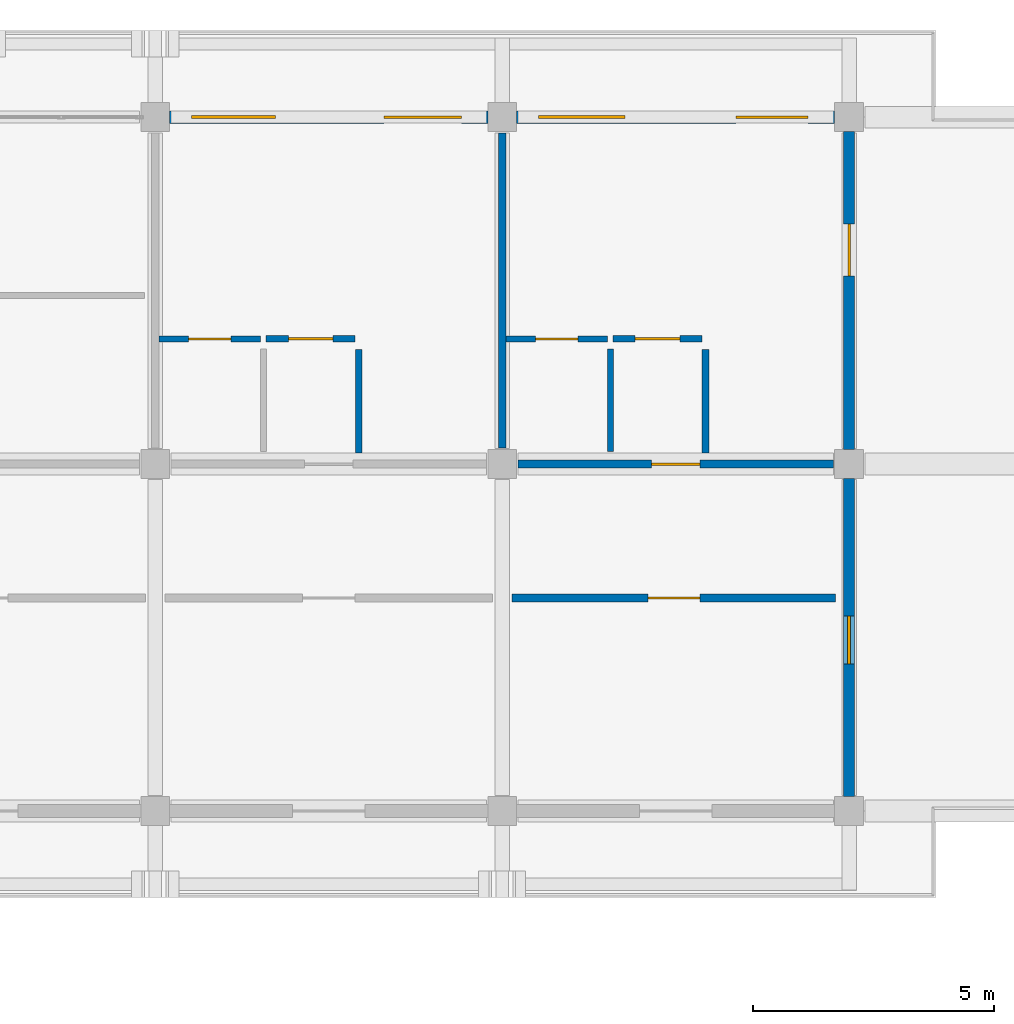
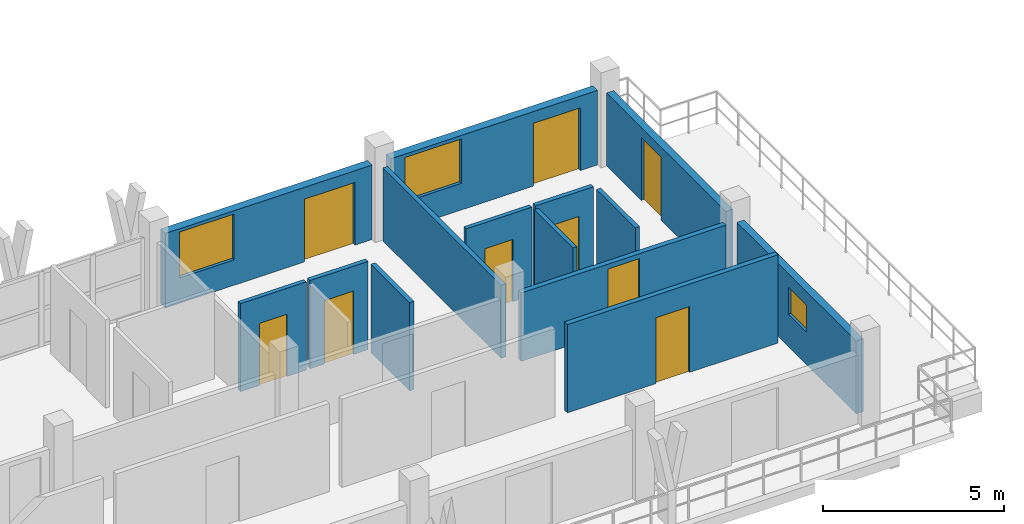
# One storey, part 43 of 73: 14 walls, 9 doors, 3 windows, 12 openings.
"""IFC4 building model written with IfcOpenShell, lengths in metres."""

import ifcopenshell
import ifcopenshell.guid

model = None  # the IFC model being written
_history = None  # IfcOwnerHistory: only IFC2X3 demands one
_inside = {}  # id of a spatial element -> (the spatial element, [elements in it])
_under = {}  # id of a project, library or spatial element -> (it, [spatial elements below it])
_declared = {}  # id of a project -> (the project, [libraries it declares])
_typed = {}  # id of a type object -> (the type object, [elements of that type])
_made_of = {}  # id of a material, layer set ... -> (it, [elements and type objects made of it])


def new_model(schema):
    """Start an empty IFC model of exactly this schema.

    Asked for "IFC4X3", IfcOpenShell would pick the latest addendum, in which some entities
    have other attributes; the version numbers below select the first issue.
    IFC2X3 requires an IfcOwnerHistory on every rooted entity: one is made here for all.
    """
    global model, _history
    if schema == "IFC4X3":
        model = ifcopenshell.file(schema_version=(4, 3, 0, 0))
    else:
        model = ifcopenshell.file(schema=schema)
    _inside.clear()
    _under.clear()
    _declared.clear()
    _typed.clear()
    _made_of.clear()
    _history = None
    if model.schema == "IFC2X3":
        org = make("IfcOrganization", Name="unknown")
        user = make(
            "IfcPersonAndOrganization",
            ThePerson=make("IfcPerson", FamilyName="unknown"),
            TheOrganization=org,
        )
        app = make(
            "IfcApplication",
            ApplicationDeveloper=org,
            Version="unknown",
            ApplicationFullName="unknown",
            ApplicationIdentifier="unknown",
        )
        _history = make(
            "IfcOwnerHistory",
            OwningUser=user,
            OwningApplication=app,
            ChangeAction="ADDED",
            CreationDate=0,
        )
    return model


def make(cls, **values):
    """One entity of the class cls with the attributes given. An attribute that is None is left unset."""
    return model.create_entity(
        cls, **{name: value for name, value in values.items() if value is not None}
    )


def rooted(cls, **values):
    """An entity with a GlobalId (a new one), such as an element, a storey or a relation."""
    return make(cls, GlobalId=ifcopenshell.guid.new(), OwnerHistory=_history, **values)


def si_unit(unit_type, name, prefix=None):
    """IfcSIUnit, for example si_unit("LENGTHUNIT", "METRE", prefix="MILLI")."""
    return make("IfcSIUnit", UnitType=unit_type, Prefix=prefix, Name=name)


def assignment(units):
    """IfcUnitAssignment: the units of a project."""
    return None if units is None else make("IfcUnitAssignment", Units=units)


def point(xyz):
    """IfcCartesianPoint."""
    return None if xyz is None else make("IfcCartesianPoint", Coordinates=xyz)


def direction(xyz):
    """IfcDirection."""
    return None if xyz is None else make("IfcDirection", DirectionRatios=xyz)


def frame(location, z_axis=None, x_axis=None):
    """IfcAxis2Placement3D, a coordinate frame: its origin and axes. An axis left out is left unset."""
    return make(
        "IfcAxis2Placement3D",
        Location=point(location),
        Axis=direction(z_axis),
        RefDirection=direction(x_axis),
    )


def frame_2d(location, x_axis=None):
    """IfcAxis2Placement2D, a coordinate frame in the plane: its origin and x axis."""
    return make(
        "IfcAxis2Placement2D", Location=point(location), RefDirection=direction(x_axis)
    )


def origin():
    """The frame at (0, 0, 0) with its axes left unset."""
    return frame((0.0, 0.0, 0.0))


def place(relative_to, where):
    """IfcLocalPlacement: puts the frame where relative to a parent placement (None: the world)."""
    return make(
        "IfcLocalPlacement", PlacementRelTo=relative_to, RelativePlacement=where
    )


def context(
    kind, dimensions, precision=None, world=None, true_north=None, identifier=None
):
    """IfcGeometricRepresentationContext, for example the 3D "Model" context."""
    return make(
        "IfcGeometricRepresentationContext",
        ContextIdentifier=identifier,
        ContextType=kind,
        CoordinateSpaceDimension=dimensions,
        Precision=precision,
        WorldCoordinateSystem=world,
        TrueNorth=true_north,
    )


def subcontext(parent, identifier, kind, view, scale=None):
    """IfcGeometricRepresentationSubContext, for example "Body" below "Model"."""
    return make(
        "IfcGeometricRepresentationSubContext",
        ContextIdentifier=identifier,
        ContextType=kind,
        ParentContext=parent,
        TargetScale=scale,
        TargetView=view,
    )


def project(units=None, contexts=None):
    """IfcProject with its units and contexts."""
    return rooted(
        "IfcProject",
        Name="project",
        RepresentationContexts=contexts,
        UnitsInContext=assignment(units),
    )


def spatial(cls, under=None, at=None, **own):
    """A site, building, storey or space (cls), placed at a placement, below another one or the project."""
    s = rooted(cls, ObjectPlacement=at, **own)
    if under is not None:
        _under.setdefault(under.id(), (under, []))[1].append(s)
    return s


def profile(cls, at=None, kind="AREA", **sizes):
    """A parametric profile (cls). Its sizes go by their IFC names, for example OverallWidth=200.0."""
    return make(cls, ProfileType=kind, Position=at, **sizes)


def rectangle(**sizes):
    """IfcRectangleProfileDef."""
    return profile("IfcRectangleProfileDef", **sizes)


def extrude(swept, where, along, depth):
    """IfcExtrudedAreaSolid: the profile swept, set in the frame where, extruded along a direction by depth."""
    return make(
        "IfcExtrudedAreaSolid",
        SweptArea=swept,
        Position=where,
        ExtrudedDirection=direction(along),
        Depth=depth,
    )


def shape(context_of_items, identifier, shape_type, items):
    """IfcShapeRepresentation: the items that make up one representation, for example the "Body"."""
    return make(
        "IfcShapeRepresentation",
        ContextOfItems=context_of_items,
        RepresentationIdentifier=identifier,
        RepresentationType=shape_type,
        Items=items,
    )


def material(Name=None, Category=None):
    """IfcMaterial."""
    return make("IfcMaterial", Name=Name, Category=Category)


def layer(
    of_material, thickness, ventilated=None, Name=None, Category=None, Priority=None
):
    """IfcMaterialLayer: one layer of a wall or slab, of a material (None: an air gap)."""
    return make(
        "IfcMaterialLayer",
        Material=of_material,
        LayerThickness=thickness,
        IsVentilated=ventilated,
        Name=Name,
        Category=Category,
        Priority=Priority,
    )


def layer_set(layers, Name=None):
    """IfcMaterialLayerSet."""
    return make("IfcMaterialLayerSet", MaterialLayers=layers, LayerSetName=Name)


def made_of(thing, what):
    """Note that an element or type object is made of a material, layer set ...; save() writes the relation."""
    if what is not None:
        _made_of.setdefault(what.id(), (what, []))[1].append(thing)
    return thing


def type_object(cls, material=None, **own):
    """A type object (cls), such as IfcWallType, which elements share."""
    return made_of(rooted(cls, **own), material)


def element(
    cls,
    number,
    at=None,
    inside=None,
    cuts=None,
    type_object=None,
    material=None,
    context=None,
    identifier="Body",
    shape_type=None,
    held_by="IfcProductDefinitionShape",
    body=None,
    shapes=None,
    **own,
):
    """One element of the class cls, such as IfcWall. Its Tag is "e" and its number.

    at: its placement. inside: the storey or other place that contains it. cuts: it is an
    opening in that element (IfcRelVoidsElement). A single representation is given by context,
    identifier, shape_type and body (its items); several are given by shapes. held_by: the class
    of the entity that holds the representations. save() writes the other relations.
    """
    e = rooted(cls, Tag="e%d" % number, ObjectPlacement=at, **own)
    if body is not None:
        shapes = [shape(context, identifier, shape_type, body)]
    if shapes is not None:
        e.Representation = make(held_by, Representations=shapes)
    if inside is not None:
        _inside.setdefault(inside.id(), (inside, []))[1].append(e)
    if cuts is not None:
        rooted(
            "IfcRelVoidsElement", RelatingBuildingElement=cuts, RelatedOpeningElement=e
        )
    if type_object is not None:
        _typed.setdefault(type_object.id(), (type_object, []))[1].append(e)
    return made_of(e, material)


def fill(opening, filler):
    """IfcRelFillsElement: the door or window that sits in an opening."""
    return rooted(
        "IfcRelFillsElement",
        RelatingOpeningElement=opening,
        RelatedBuildingElement=filler,
    )


def aggregate(whole, parts):
    """IfcRelAggregates: a whole, such as a stair, and the parts it consists of."""
    return rooted("IfcRelAggregates", RelatingObject=whole, RelatedObjects=parts)


def save(model, path):
    """Write the relations noted so far, then the file.

    IfcRelAggregates (storeys below a building ...), IfcRelContainedInSpatialStructure (elements
    in a storey), IfcRelDefinesByType, IfcRelAssociatesMaterial and IfcRelDeclares: one each for
    every whole, place, type object, material and project.
    """
    for whole, parts in _under.values():
        aggregate(whole, parts)
    for where, things in _inside.values():
        rooted(
            "IfcRelContainedInSpatialStructure",
            RelatedElements=things,
            RelatingStructure=where,
        )
    for kind, things in _typed.values():
        rooted("IfcRelDefinesByType", RelatedObjects=things, RelatingType=kind)
    for what, things in _made_of.values():
        rooted("IfcRelAssociatesMaterial", RelatedObjects=things, RelatingMaterial=what)
    for by, libraries in _declared.values():
        rooted("IfcRelDeclares", RelatingContext=by, RelatedDefinitions=libraries)
    model.write(path)


model = new_model("IFC4")

# Units and contexts
model_context = context("Model", 3, precision=1e-05, world=origin(), true_north=direction((0.0, 1.0)))
body_context = subcontext(model_context, "Body", "Model", "MODEL_VIEW")
ifc_project = project(units=[si_unit("LENGTHUNIT", "METRE"), si_unit("AREAUNIT", "SQUARE_METRE"), si_unit("VOLUMEUNIT", "CUBIC_METRE"), si_unit("PLANEANGLEUNIT", "RADIAN"), si_unit("MASSUNIT", "GRAM", prefix="KILO")], contexts=[model_context])

# Site, building, storey
site_placement = place(None, origin())
site = spatial("IfcSite", under=ifc_project, at=site_placement, CompositionType="ELEMENT")
building_placement = place(site_placement, origin())
building = spatial("IfcBuilding", under=site, at=building_placement, Name="Suanplinth Sawtooth Commons", CompositionType="ELEMENT")
storey_placement = place(building_placement, frame((0.0, 0.0, 21.89990234375)))
storey = spatial("IfcBuildingStorey", under=building, at=storey_placement, Name="L06", CompositionType="ELEMENT", Elevation=21.89990234375)

# Wall, openings, door, window
ifc_material_1 = material(Name="Precast concrete C40/50", Category="concrete")
ifc_layer_1 = layer(ifc_material_1, 0.260009765625, Name="Insulated precast courtyard facade wall 260mm")
ifc_layer_set_1 = layer_set([ifc_layer_1], Name="Precast concrete C40/50")
wall_type_1 = type_object("IfcWallType", Name="W-EX02", PredefinedType="ELEMENTEDWALL", material=ifc_layer_set_1)
wall_1_placement = place(storey_placement, frame((93.89990234375, 122.39990234375, 0.0), z_axis=(0.0, 0.0, 1.0), x_axis=(1.0, 0.0, 0.0)))
wall_1 = element("IfcWall", 1, at=wall_1_placement, inside=storey, type_object=wall_type_1, Name="Facade Wall W-L06-A-N-12", PredefinedType="ELEMENTEDWALL", context=body_context, shape_type="SweptSolid", body=[
    extrude(rectangle(XDim=6.60009765625, YDim=0.260009765625, at=frame_2d((3.300048828125, 0.0))), origin(), (0.0, 0.0, 1.0), 2.51513671875),
])
opening_1_placement = place(wall_1_placement, frame((4.449951171875, 0.0, 0.0)))
opening_1 = element("IfcOpeningElement", 2, at=opening_1_placement, cuts=wall_1, Name="Opening ED0493", PredefinedType="OPENING", context=body_context, shape_type="SweptSolid", body=[
    extrude(rectangle(XDim=1.60009765625, YDim=2.1201171875, at=frame_2d((0.800048828125, 1.06005859375))), frame((0.0, 0.14501953125, 0.0), z_axis=(0.0, -1.0, 0.0), x_axis=(1.0, 0.0, 0.0)), (0.0, 0.0, 1.0), 0.289794921875),
])
opening_2_placement = place(wall_1_placement, frame((0.449951171875, 0.0, 0.85498046875)))
opening_2 = element("IfcOpeningElement", 3, at=opening_2_placement, cuts=wall_1, Name="Opening W0579", PredefinedType="OPENING", context=body_context, shape_type="SweptSolid", body=[
    extrude(rectangle(XDim=1.75, YDim=1.550048828125, at=frame_2d((0.875, 0.77490234375))), frame((0.0, 0.14501953125, 0.0), z_axis=(0.0, -1.0, 0.0), x_axis=(1.0, 0.0, 0.0)), (0.0, 0.0, 1.0), 0.289794921875),
])
ifc_material_2 = material(Name="Anodized aluminium and low-E glass", Category="aluminium")
door_type_1 = type_object("IfcDoorType", Name="SD-02", OperationType="SLIDING_TO_RIGHT", PredefinedType="DOOR", material=ifc_material_2)
door_1_placement = place(opening_1_placement, frame((1.60009765625, 0.0, 0.0), z_axis=(0.0, 0.0, 1.0), x_axis=(-1.0, 0.0, 0.0)))
door_1 = element("IfcDoor", 4, at=door_1_placement, inside=storey, type_object=door_type_1, Name="Balcony Sliding Door L06-A-N-12", OperationType="SLIDING_TO_RIGHT", OverallHeight=2.1201171875, OverallWidth=1.60009765625, PredefinedType="DOOR", context=body_context, shape_type="SweptSolid", body=[
    extrude(rectangle(XDim=1.60009765625, YDim=2.1201171875, at=frame_2d((0.800048828125, 1.06005859375))), frame((0.0, 0.02490234375, 0.0), z_axis=(0.0, -1.0, 0.0), x_axis=(1.0, 0.0, 0.0)), (0.0, 0.0, 1.0), 0.050048828125),
])
fill(opening_1, door_1)
ifc_material_3 = material(Name="Thermally broken aluminium and low-E double glazing", Category="aluminium")
window_type_1 = type_object("IfcWindowType", Name="WN-26", PartitioningType="DOUBLE_PANEL_VERTICAL", PredefinedType="WINDOW", material=ifc_material_3)
window_1_placement = place(opening_2_placement, origin())
window_1 = element("IfcWindow", 5, at=window_1_placement, inside=storey, type_object=window_type_1, Name="Window L06-A-N-12", OverallHeight=1.550048828125, OverallWidth=1.75, PartitioningType="DOUBLE_PANEL_VERTICAL", PredefinedType="WINDOW", context=body_context, shape_type="SweptSolid", body=[
    extrude(rectangle(XDim=1.75, YDim=1.550048828125, at=frame_2d((0.875, 0.77490234375))), frame((0.0, 0.030029296875, 0.0), z_axis=(0.0, -1.0, 0.0), x_axis=(1.0, 0.0, 0.0)), (0.0, 0.0, 1.0), 0.06005859375),
])
fill(opening_2, window_1)

wall_2_placement = place(storey_placement, frame((101.10009765625, 122.39990234375, 0.0), z_axis=(0.0, 0.0, 1.0), x_axis=(1.0, 0.0, 0.0)))
wall_2 = element("IfcWall", 6, at=wall_2_placement, inside=storey, type_object=wall_type_1, Name="Facade Wall W-L06-A-N-13", PredefinedType="ELEMENTEDWALL", context=body_context, shape_type="SweptSolid", body=[
    extrude(rectangle(XDim=6.599853515625, YDim=0.260009765625, at=frame_2d((3.2998046875, 0.0))), origin(), (0.0, 0.0, 1.0), 2.51513671875),
])
opening_3_placement = place(wall_2_placement, frame((4.550048828125, 0.0, 0.0)))
opening_3 = element("IfcOpeningElement", 7, at=opening_3_placement, cuts=wall_2, Name="Opening ED0495", PredefinedType="OPENING", context=body_context, shape_type="SweptSolid", body=[
    extrude(rectangle(XDim=1.5, YDim=2.1201171875, at=frame_2d((0.75, 1.06005859375))), frame((0.0, 0.14501953125, 0.0), z_axis=(0.0, -1.0, 0.0), x_axis=(1.0, 0.0, 0.0)), (0.0, 0.0, 1.0), 0.289794921875),
])
opening_4_placement = place(wall_2_placement, frame((0.449951171875, 0.0, 0.89990234375)))
opening_4 = element("IfcOpeningElement", 8, at=opening_4_placement, cuts=wall_2, Name="Opening W0580", PredefinedType="OPENING", context=body_context, shape_type="SweptSolid", body=[
    extrude(rectangle(XDim=1.800048828125, YDim=1.5, at=frame_2d((0.89990234375, 0.75))), frame((0.0, 0.14501953125, 0.0), z_axis=(0.0, -1.0, 0.0), x_axis=(1.0, 0.0, 0.0)), (0.0, 0.0, 1.0), 0.289794921875),
])
door_type_2 = type_object("IfcDoorType", Name="SD-03", OperationType="SLIDING_TO_LEFT", PredefinedType="DOOR", material=ifc_material_2)
door_2_placement = place(opening_3_placement, frame((1.5, 0.0, 0.0), z_axis=(0.0, 0.0, 1.0), x_axis=(-1.0, 0.0, 0.0)))
door_2 = element("IfcDoor", 9, at=door_2_placement, inside=storey, type_object=door_type_2, Name="Balcony Sliding Door L06-A-N-13", OperationType="SLIDING_TO_LEFT", OverallHeight=2.1201171875, OverallWidth=1.5, PredefinedType="DOOR", context=body_context, shape_type="SweptSolid", body=[
    extrude(rectangle(XDim=1.5, YDim=2.1201171875, at=frame_2d((0.75, 1.06005859375))), frame((0.0, 0.02490234375, 0.0), z_axis=(0.0, -1.0, 0.0), x_axis=(1.0, 0.0, 0.0)), (0.0, 0.0, 1.0), 0.050048828125),
])
fill(opening_3, door_2)
window_type_2 = type_object("IfcWindowType", Name="WN-01", PartitioningType="DOUBLE_PANEL_VERTICAL", PredefinedType="WINDOW", material=ifc_material_3)
window_2_placement = place(opening_4_placement, origin())
window_2 = element("IfcWindow", 10, at=window_2_placement, inside=storey, type_object=window_type_2, Name="Window L06-A-N-13", OverallHeight=1.5, OverallWidth=1.800048828125, PartitioningType="DOUBLE_PANEL_VERTICAL", PredefinedType="WINDOW", context=body_context, shape_type="SweptSolid", body=[
    extrude(rectangle(XDim=1.800048828125, YDim=1.5, at=frame_2d((0.89990234375, 0.75))), frame((0.0, 0.030029296875, 0.0), z_axis=(0.0, -1.0, 0.0), x_axis=(1.0, 0.0, 0.0)), (0.0, 0.0, 1.0), 0.06005859375),
])
fill(opening_4, window_2)

# Wall, opening, window
ifc_layer_2 = layer(ifc_material_1, 0.22998046875, Name="Stepped terrace insulated precast wall 230mm")
ifc_layer_set_2 = layer_set([ifc_layer_2], Name="Precast concrete C40/50")
wall_type_2 = type_object("IfcWallType", Name="W-EX06", PredefinedType="ELEMENTEDWALL", material=ifc_layer_set_2)
wall_3_placement = place(storey_placement, frame((108.0, 108.300048828125, 0.0), z_axis=(0.0, 0.0, 1.0), x_axis=(0.0, 1.0, 0.0)))
wall_3 = element("IfcWall", 11, at=wall_3_placement, inside=storey, type_object=wall_type_2, Name="End Wall W-L06-A-E-15", PredefinedType="ELEMENTEDWALL", context=body_context, shape_type="SweptSolid", body=[
    extrude(rectangle(XDim=6.599853515625, YDim=0.22998046875, at=frame_2d((3.2998046875, 0.0))), origin(), (0.0, 0.0, 1.0), 2.465087890625),
])
opening_5_placement = place(wall_3_placement, frame((2.75, 0.0, 1.10009765625)))
opening_5 = element("IfcOpeningElement", 12, at=opening_5_placement, cuts=wall_3, Name="Opening W0582", PredefinedType="OPENING", context=body_context, shape_type="SweptSolid", body=[
    extrude(rectangle(XDim=1.0, YDim=0.89990234375, at=frame_2d((0.5, 0.449951171875))), frame((0.0, 0.1298828125, 0.0), z_axis=(0.0, -1.0, 0.0), x_axis=(1.0, 0.0, 0.0)), (0.0, 0.0, 1.0), 0.259765625),
])
window_type_3 = type_object("IfcWindowType", Name="WN-12", PartitioningType="SINGLE_PANEL", PredefinedType="WINDOW", material=ifc_material_3)
window_3_placement = place(opening_5_placement, origin())
window_3 = element("IfcWindow", 13, at=window_3_placement, inside=storey, type_object=window_type_3, Name="End Window L06-A-E-15", OverallHeight=0.89990234375, OverallWidth=1.0, PartitioningType="SINGLE_PANEL", PredefinedType="WINDOW", context=body_context, shape_type="SweptSolid", body=[
    extrude(rectangle(XDim=1.0, YDim=0.89990234375, at=frame_2d((0.5, 0.449951171875))), frame((0.0, 0.030029296875, 0.0), z_axis=(0.0, -1.0, 0.0), x_axis=(1.0, 0.0, 0.0)), (0.0, 0.0, 1.0), 0.06005859375),
])
fill(opening_5, window_3)

# Wall, opening, door
wall_4_placement = place(storey_placement, frame((108.0, 115.5, 0.0), z_axis=(0.0, 0.0, 1.0), x_axis=(0.0, 1.0, 0.0)))
wall_4 = element("IfcWall", 14, at=wall_4_placement, inside=storey, type_object=wall_type_2, Name="End Wall W-L06-A-E-16", PredefinedType="ELEMENTEDWALL", context=body_context, shape_type="SweptSolid", body=[
    extrude(rectangle(XDim=6.60009765625, YDim=0.22998046875, at=frame_2d((3.300048828125, 0.0))), origin(), (0.0, 0.0, 1.0), 2.465087890625),
])
opening_6_placement = place(wall_4_placement, frame((3.60009765625, 0.0, 0.0)))
opening_6 = element("IfcOpeningElement", 15, at=opening_6_placement, cuts=wall_4, Name="Opening ED0498", PredefinedType="OPENING", context=body_context, shape_type="SweptSolid", body=[
    extrude(rectangle(XDim=1.080078125, YDim=2.1201171875, at=frame_2d((0.5400390625, 1.06005859375))), frame((0.0, 0.1298828125, 0.0), z_axis=(0.0, -1.0, 0.0), x_axis=(1.0, 0.0, 0.0)), (0.0, 0.0, 1.0), 0.259765625),
])
door_type_3 = type_object("IfcDoorType", Name="ED-10", OperationType="NOTDEFINED", PredefinedType="DOOR", material=ifc_material_2)
door_3_placement = place(opening_6_placement, frame((1.080078125, 0.0, 0.0), z_axis=(0.0, 0.0, 1.0), x_axis=(-1.0, 0.0, 0.0)))
door_3 = element("IfcDoor", 16, at=door_3_placement, inside=storey, type_object=door_type_3, Name="L06 Block A E Stepped Terrace Door", OperationType="SINGLE_SWING_LEFT", OverallHeight=2.1201171875, OverallWidth=1.080078125, PredefinedType="DOOR", context=body_context, shape_type="SweptSolid", body=[
    extrude(rectangle(XDim=1.080078125, YDim=2.1201171875, at=frame_2d((0.5400390625, 1.06005859375))), frame((0.0, 0.02490234375, 0.0), z_axis=(0.0, -1.0, 0.0), x_axis=(1.0, 0.0, 0.0)), (0.0, 0.0, 1.0), 0.050048828125),
])
fill(opening_6, door_3)

ifc_layer_3 = layer(ifc_material_1, 0.159912109375, Name="Fire-rated corridor and lobby wall 160mm")
ifc_layer_set_3 = layer_set([ifc_layer_3], Name="Precast concrete C40/50")
wall_type_3 = type_object("IfcWallType", Name="W-FW01", PredefinedType="PARTITIONING", material=ifc_layer_set_3)
wall_5_placement = place(storey_placement, frame((101.1298828125, 115.199951171875, 0.0), z_axis=(0.0, 0.0, 1.0), x_axis=(1.0, 0.0, 0.0)))
wall_5 = element("IfcWall", 17, at=wall_5_placement, inside=storey, type_object=wall_type_3, Name="W-A-L06-U11-COR", PredefinedType="PARTITIONING", context=body_context, shape_type="SweptSolid", body=[
    extrude(rectangle(XDim=6.5400390625, YDim=0.159912109375, at=frame_2d((3.27001953125, 0.0))), origin(), (0.0, 0.0, 1.0), 2.315185546875),
])
opening_7_placement = place(wall_5_placement, frame((2.77001953125, 0.0, 0.0)))
opening_7 = element("IfcOpeningElement", 18, at=opening_7_placement, cuts=wall_5, Name="Opening FD1391", PredefinedType="OPENING", context=body_context, shape_type="SweptSolid", body=[
    extrude(rectangle(XDim=1.0, YDim=2.14990234375, at=frame_2d((0.5, 1.074951171875))), frame((0.0, 0.0947265625, 0.0), z_axis=(0.0, -1.0, 0.0), x_axis=(1.0, 0.0, 0.0)), (0.0, 0.0, 1.0), 0.189697265625),
])
ifc_material_4 = material(Name="Teak hardwood fire-rated door assembly", Category="wood")
door_type_4 = type_object("IfcDoorType", Name="FD-03", OperationType="NOTDEFINED", PredefinedType="DOOR", material=ifc_material_4)
door_4_placement = place(opening_7_placement, origin())
door_4 = element("IfcDoor", 19, at=door_4_placement, inside=storey, type_object=door_type_4, Name="Unit Entrance Door FD1391", OperationType="SINGLE_SWING_LEFT", OverallHeight=2.14990234375, OverallWidth=1.0, PredefinedType="DOOR", context=body_context, shape_type="SweptSolid", body=[
    extrude(rectangle(XDim=1.0, YDim=2.14990234375, at=frame_2d((0.5, 1.074951171875))), frame((0.0, 0.02490234375, 0.0), z_axis=(0.0, -1.0, 0.0), x_axis=(1.0, 0.0, 0.0)), (0.0, 0.0, 1.0), 0.050048828125),
])
fill(opening_7, door_4)

wall_6_placement = place(storey_placement, frame((101.0, 112.419921875, 0.0), z_axis=(0.0, 0.0, 1.0), x_axis=(1.0, 0.0, 0.0)))
wall_6 = element("IfcWall", 20, at=wall_6_placement, inside=storey, type_object=wall_type_3, Name="W-A-L06-COURTROOM-20-COR", PredefinedType="PARTITIONING", context=body_context, shape_type="SweptSolid", body=[
    extrude(rectangle(XDim=6.719970703125, YDim=0.159912109375, at=frame_2d((3.35986328125, 0.0))), origin(), (0.0, 0.0, 1.0), 2.97998046875),
])
opening_8_placement = place(wall_6_placement, frame((2.820068359375, 0.0, 0.0)))
opening_8 = element("IfcOpeningElement", 21, at=opening_8_placement, cuts=wall_6, Name="Opening D1403", PredefinedType="OPENING", context=body_context, shape_type="SweptSolid", body=[
    extrude(rectangle(XDim=1.080078125, YDim=2.219970703125, at=frame_2d((0.5400390625, 1.10986328125))), frame((0.0, 0.0947265625, 0.0), z_axis=(0.0, -1.0, 0.0), x_axis=(1.0, 0.0, 0.0)), (0.0, 0.0, 1.0), 0.189697265625),
])
ifc_material_5 = material(Name="Teak hardwood", Category="wood")
door_type_5 = type_object("IfcDoorType", Name="D-17", OperationType="NOTDEFINED", PredefinedType="DOOR", material=ifc_material_5)
door_5_placement = place(opening_8_placement, frame((1.080078125, 0.0, 0.0), z_axis=(0.0, 0.0, 1.0), x_axis=(-1.0, 0.0, 0.0)))
door_5 = element("IfcDoor", 22, at=door_5_placement, inside=storey, type_object=door_type_5, Name="Study Studio Door D1403", OperationType="SINGLE_SWING_LEFT", OverallHeight=2.219970703125, OverallWidth=1.080078125, PredefinedType="DOOR", context=body_context, shape_type="SweptSolid", body=[
    extrude(rectangle(XDim=1.080078125, YDim=2.219970703125, at=frame_2d((0.5400390625, 1.10986328125))), frame((0.0, 0.02490234375, 0.0), z_axis=(0.0, -1.0, 0.0), x_axis=(1.0, 0.0, 0.0)), (0.0, 0.0, 1.0), 0.050048828125),
])
fill(opening_8, door_5)

# Wall
ifc_layer_4 = layer(ifc_material_1, 0.14990234375, Name="Acoustic precast party demising wall 150mm")
ifc_layer_set_4 = layer_set([ifc_layer_4], Name="Precast concrete C40/50")
wall_type_4 = type_object("IfcWallType", Name="W-FW02", PredefinedType="PARTITIONING", material=ifc_layer_set_4)
wall_7_placement = place(storey_placement, frame((100.800048828125, 115.530029296875, 0.0), z_axis=(0.0, 0.0, 1.0), x_axis=(0.0, 1.0, 0.0)))
element("IfcWall", 23, at=wall_7_placement, inside=storey, type_object=wall_type_4, Name="W-A-L06-U10-PTY", PredefinedType="PARTITIONING", context=body_context, shape_type="SweptSolid", body=[
    extrude(rectangle(XDim=6.5400390625, YDim=0.14990234375, at=frame_2d((3.27001953125, 0.0))), origin(), (0.0, 0.0, 1.0), 2.465087890625),
])

# Wall, opening, door
ifc_material_6 = material(Name="Gypsum plasterboard on steel stud", Category="steel")
ifc_layer_5 = layer(ifc_material_6, 0.139892578125, Name="Fire-rated kitchen partition 140mm")
ifc_layer_set_5 = layer_set([ifc_layer_5], Name="Gypsum plasterboard on steel stud")
wall_type_5 = type_object("IfcWallType", Name="W-PT01", PredefinedType="PARTITIONING", material=ifc_layer_set_5)
wall_8_placement = place(storey_placement, frame((95.89990234375, 117.800048828125, 0.0), z_axis=(0.0, 0.0, 1.0), x_axis=(1.0, 0.0, 0.0)))
wall_8 = element("IfcWall", 24, at=wall_8_placement, inside=storey, type_object=wall_type_5, Name="W-A-L06-U10-KIT1", PredefinedType="PARTITIONING", context=body_context, shape_type="SweptSolid", body=[
    extrude(rectangle(XDim=1.85009765625, YDim=0.139892578125, at=frame_2d((0.925048828125, 0.0))), origin(), (0.0, 0.0, 1.0), 2.97998046875),
])
opening_9_placement = place(wall_8_placement, frame((0.4599609375, 0.0, 0.0)))
opening_9 = element("IfcOpeningElement", 25, at=opening_9_placement, cuts=wall_8, Name="Opening D1390", PredefinedType="OPENING", context=body_context, shape_type="SweptSolid", body=[
    extrude(rectangle(XDim=0.929931640625, YDim=2.139892578125, at=frame_2d((0.46484375, 1.06982421875))), frame((0.0, 0.0849609375, 0.0), z_axis=(0.0, -1.0, 0.0), x_axis=(1.0, 0.0, 0.0)), (0.0, 0.0, 1.0), 0.169677734375),
])
door_type_6 = type_object("IfcDoorType", Name="D-19", OperationType="NOTDEFINED", PredefinedType="DOOR", material=ifc_material_5)
door_6_placement = place(opening_9_placement, frame((0.929931640625, 0.0, 0.0), z_axis=(0.0, 0.0, 1.0), x_axis=(-1.0, 0.0, 0.0)))
door_6 = element("IfcDoor", 26, at=door_6_placement, inside=storey, type_object=door_type_6, Name="Kitchen Door D1390", OperationType="SINGLE_SWING_RIGHT", OverallHeight=2.139892578125, OverallWidth=0.929931640625, PredefinedType="DOOR", context=body_context, shape_type="SweptSolid", body=[
    extrude(rectangle(XDim=0.929931640625, YDim=2.139892578125, at=frame_2d((0.46484375, 1.06982421875))), frame((0.0, 0.02490234375, 0.0), z_axis=(0.0, -1.0, 0.0), x_axis=(1.0, 0.0, 0.0)), (0.0, 0.0, 1.0), 0.050048828125),
])
fill(opening_9, door_6)

# Wall
wall_9_placement = place(storey_placement, frame((97.820068359375, 115.429931640625, 0.0), z_axis=(0.0, 0.0, 1.0), x_axis=(0.0, 1.0, 0.0)))
element("IfcWall", 27, at=wall_9_placement, inside=storey, type_object=wall_type_5, Name="W-A-L06-U10-KIT2", PredefinedType="PARTITIONING", context=body_context, shape_type="SweptSolid", body=[
    extrude(rectangle(XDim=2.150146484375, YDim=0.139892578125, at=frame_2d((1.0751953125, 0.0))), origin(), (0.0, 0.0, 1.0), 2.97998046875),
])

# Wall, opening, door
wall_10_placement = place(storey_placement, frame((103.10009765625, 117.800048828125, 0.0), z_axis=(0.0, 0.0, 1.0), x_axis=(1.0, 0.0, 0.0)))
wall_10 = element("IfcWall", 28, at=wall_10_placement, inside=storey, type_object=wall_type_5, Name="W-A-L06-U11-KIT1", PredefinedType="PARTITIONING", context=body_context, shape_type="SweptSolid", body=[
    extrude(rectangle(XDim=1.849853515625, YDim=0.139892578125, at=frame_2d((0.9248046875, 0.0))), origin(), (0.0, 0.0, 1.0), 2.97998046875),
])
opening_10_placement = place(wall_10_placement, frame((0.4599609375, 0.0, 0.0)))
opening_10 = element("IfcOpeningElement", 29, at=opening_10_placement, cuts=wall_10, Name="Opening D1393", PredefinedType="OPENING", context=body_context, shape_type="SweptSolid", body=[
    extrude(rectangle(XDim=0.929931640625, YDim=2.139892578125, at=frame_2d((0.46484375, 1.06982421875))), frame((0.0, 0.0849609375, 0.0), z_axis=(0.0, -1.0, 0.0), x_axis=(1.0, 0.0, 0.0)), (0.0, 0.0, 1.0), 0.169677734375),
])
door_7_placement = place(opening_10_placement, frame((0.929931640625, 0.0, 0.0), z_axis=(0.0, 0.0, 1.0), x_axis=(-1.0, 0.0, 0.0)))
door_7 = element("IfcDoor", 30, at=door_7_placement, inside=storey, type_object=door_type_6, Name="Kitchen Door D1393", OperationType="SINGLE_SWING_LEFT", OverallHeight=2.139892578125, OverallWidth=0.929931640625, PredefinedType="DOOR", context=body_context, shape_type="SweptSolid", body=[
    extrude(rectangle(XDim=0.929931640625, YDim=2.139892578125, at=frame_2d((0.46484375, 1.06982421875))), frame((0.0, 0.02490234375, 0.0), z_axis=(0.0, -1.0, 0.0), x_axis=(1.0, 0.0, 0.0)), (0.0, 0.0, 1.0), 0.050048828125),
])
fill(opening_10, door_7)

# Wall
wall_11_placement = place(storey_placement, frame((105.02001953125, 115.429931640625, 0.0), z_axis=(0.0, 0.0, 1.0), x_axis=(0.0, 1.0, 0.0)))
element("IfcWall", 31, at=wall_11_placement, inside=storey, type_object=wall_type_5, Name="W-A-L06-U11-KIT2", PredefinedType="PARTITIONING", context=body_context, shape_type="SweptSolid", body=[
    extrude(rectangle(XDim=2.150146484375, YDim=0.139892578125, at=frame_2d((1.0751953125, 0.0))), origin(), (0.0, 0.0, 1.0), 2.97998046875),
])

# Wall, opening, door
ifc_layer_6 = layer(ifc_material_6, 0.1298828125, Name="Moisture-resistant bathroom partition 130mm")
ifc_layer_set_6 = layer_set([ifc_layer_6], Name="Gypsum plasterboard on steel stud")
wall_type_6 = type_object("IfcWallType", Name="W-PT02", PredefinedType="PARTITIONING", material=ifc_layer_set_6)
wall_12_placement = place(storey_placement, frame((93.679931640625, 117.794921875, 0.0), z_axis=(0.0, 0.0, 1.0), x_axis=(1.0, 0.0, 0.0)))
wall_12 = element("IfcWall", 32, at=wall_12_placement, inside=storey, type_object=wall_type_6, Name="W-A-L06-U10-BTH1", PredefinedType="PARTITIONING", context=body_context, shape_type="SweptSolid", body=[
    extrude(rectangle(XDim=2.10009765625, YDim=0.1298828125, at=frame_2d((1.050048828125, 0.0))), origin(), (0.0, 0.0, 1.0), 2.97998046875),
])
opening_11_placement = place(wall_12_placement, frame((0.610107421875, 0.0, 0.0)))
opening_11 = element("IfcOpeningElement", 33, at=opening_11_placement, cuts=wall_12, Name="Opening D1389", PredefinedType="OPENING", context=body_context, shape_type="SweptSolid", body=[
    extrude(rectangle(XDim=0.8798828125, YDim=2.10009765625, at=frame_2d((0.43994140625, 1.050048828125))), frame((0.0, 0.079833984375, 0.0), z_axis=(0.0, -1.0, 0.0), x_axis=(1.0, 0.0, 0.0)), (0.0, 0.0, 1.0), 0.15966796875),
])
door_type_7 = type_object("IfcDoorType", Name="D-14", OperationType="NOTDEFINED", PredefinedType="DOOR", material=ifc_material_5)
door_8_placement = place(opening_11_placement, frame((0.8798828125, 0.0, 0.0), z_axis=(0.0, 0.0, 1.0), x_axis=(-1.0, 0.0, 0.0)))
door_8 = element("IfcDoor", 34, at=door_8_placement, inside=storey, type_object=door_type_7, Name="Bathroom Door D1389", OperationType="SINGLE_SWING_LEFT", OverallHeight=2.10009765625, OverallWidth=0.8798828125, PredefinedType="DOOR", context=body_context, shape_type="SweptSolid", body=[
    extrude(rectangle(XDim=0.8798828125, YDim=2.10009765625, at=frame_2d((0.43994140625, 1.050048828125))), frame((0.0, 0.02490234375, 0.0), z_axis=(0.0, -1.0, 0.0), x_axis=(1.0, 0.0, 0.0)), (0.0, 0.0, 1.0), 0.050048828125),
])
fill(opening_11, door_8)

wall_13_placement = place(storey_placement, frame((100.8798828125, 117.794921875, 0.0), z_axis=(0.0, 0.0, 1.0), x_axis=(1.0, 0.0, 0.0)))
wall_13 = element("IfcWall", 35, at=wall_13_placement, inside=storey, type_object=wall_type_6, Name="W-A-L06-U11-BTH1", PredefinedType="PARTITIONING", context=body_context, shape_type="SweptSolid", body=[
    extrude(rectangle(XDim=2.10009765625, YDim=0.1298828125, at=frame_2d((1.050048828125, 0.0))), origin(), (0.0, 0.0, 1.0), 2.97998046875),
])
opening_12_placement = place(wall_13_placement, frame((0.610107421875, 0.0, 0.0)))
opening_12 = element("IfcOpeningElement", 36, at=opening_12_placement, cuts=wall_13, Name="Opening D1392", PredefinedType="OPENING", context=body_context, shape_type="SweptSolid", body=[
    extrude(rectangle(XDim=0.8798828125, YDim=2.10009765625, at=frame_2d((0.43994140625, 1.050048828125))), frame((0.0, 0.079833984375, 0.0), z_axis=(0.0, -1.0, 0.0), x_axis=(1.0, 0.0, 0.0)), (0.0, 0.0, 1.0), 0.15966796875),
])
door_9_placement = place(opening_12_placement, frame((0.8798828125, 0.0, 0.0), z_axis=(0.0, 0.0, 1.0), x_axis=(-1.0, 0.0, 0.0)))
door_9 = element("IfcDoor", 37, at=door_9_placement, inside=storey, type_object=door_type_7, Name="Bathroom Door D1392", OperationType="SINGLE_SWING_RIGHT", OverallHeight=2.10009765625, OverallWidth=0.8798828125, PredefinedType="DOOR", context=body_context, shape_type="SweptSolid", body=[
    extrude(rectangle(XDim=0.8798828125, YDim=2.10009765625, at=frame_2d((0.43994140625, 1.050048828125))), frame((0.0, 0.02490234375, 0.0), z_axis=(0.0, -1.0, 0.0), x_axis=(1.0, 0.0, 0.0)), (0.0, 0.0, 1.0), 0.050048828125),
])
fill(opening_12, door_9)

# Wall
wall_14_placement = place(storey_placement, frame((103.044921875, 115.4599609375, 0.0), z_axis=(0.0, 0.0, 1.0), x_axis=(0.0, 1.0, 0.0)))
element("IfcWall", 38, at=wall_14_placement, inside=storey, type_object=wall_type_6, Name="W-A-L06-U11-BTH2", PredefinedType="PARTITIONING", context=body_context, shape_type="SweptSolid", body=[
    extrude(rectangle(XDim=2.130126953125, YDim=0.1298828125, at=frame_2d((1.06494140625, 0.0))), origin(), (0.0, 0.0, 1.0), 2.97998046875),
])

save(model, "model.ifc")
